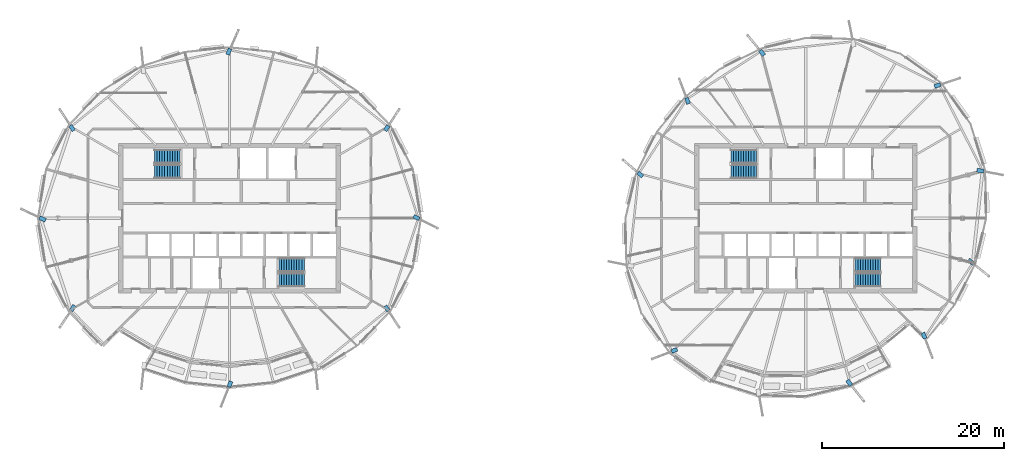
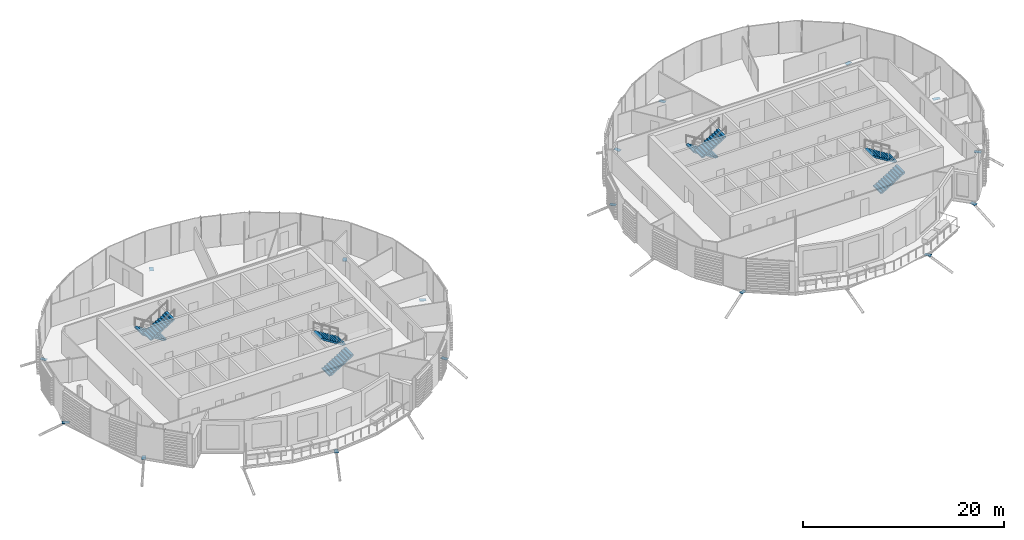
# One storey, part 26 of 41: 17 discrete accessories, 8 stair flights, 4 elements without a shape of their own.
"""IFC4 building model written with IfcOpenShell, lengths in metres."""

import ifcopenshell
import ifcopenshell.guid

model = None  # the IFC model being written
_history = None  # IfcOwnerHistory: only IFC2X3 demands one
_inside = {}  # id of a spatial element -> (the spatial element, [elements in it])
_under = {}  # id of a project, library or spatial element -> (it, [spatial elements below it])
_declared = {}  # id of a project -> (the project, [libraries it declares])
_typed = {}  # id of a type object -> (the type object, [elements of that type])
_made_of = {}  # id of a material, layer set ... -> (it, [elements and type objects made of it])


def new_model(schema):
    """Start an empty IFC model of exactly this schema.

    Asked for "IFC4X3", IfcOpenShell would pick the latest addendum, in which some entities
    have other attributes; the version numbers below select the first issue.
    IFC2X3 requires an IfcOwnerHistory on every rooted entity: one is made here for all.
    """
    global model, _history
    if schema == "IFC4X3":
        model = ifcopenshell.file(schema_version=(4, 3, 0, 0))
    else:
        model = ifcopenshell.file(schema=schema)
    _inside.clear()
    _under.clear()
    _declared.clear()
    _typed.clear()
    _made_of.clear()
    _history = None
    if model.schema == "IFC2X3":
        org = make("IfcOrganization", Name="unknown")
        user = make(
            "IfcPersonAndOrganization",
            ThePerson=make("IfcPerson", FamilyName="unknown"),
            TheOrganization=org,
        )
        app = make(
            "IfcApplication",
            ApplicationDeveloper=org,
            Version="unknown",
            ApplicationFullName="unknown",
            ApplicationIdentifier="unknown",
        )
        _history = make(
            "IfcOwnerHistory",
            OwningUser=user,
            OwningApplication=app,
            ChangeAction="ADDED",
            CreationDate=0,
        )
    return model


def make(cls, **values):
    """One entity of the class cls with the attributes given. An attribute that is None is left unset."""
    return model.create_entity(
        cls, **{name: value for name, value in values.items() if value is not None}
    )


def rooted(cls, **values):
    """An entity with a GlobalId (a new one), such as an element, a storey or a relation."""
    return make(cls, GlobalId=ifcopenshell.guid.new(), OwnerHistory=_history, **values)


def si_unit(unit_type, name, prefix=None):
    """IfcSIUnit, for example si_unit("LENGTHUNIT", "METRE", prefix="MILLI")."""
    return make("IfcSIUnit", UnitType=unit_type, Prefix=prefix, Name=name)


def assignment(units):
    """IfcUnitAssignment: the units of a project."""
    return None if units is None else make("IfcUnitAssignment", Units=units)


def point(xyz):
    """IfcCartesianPoint."""
    return None if xyz is None else make("IfcCartesianPoint", Coordinates=xyz)


def direction(xyz):
    """IfcDirection."""
    return None if xyz is None else make("IfcDirection", DirectionRatios=xyz)


def frame(location, z_axis=None, x_axis=None):
    """IfcAxis2Placement3D, a coordinate frame: its origin and axes. An axis left out is left unset."""
    return make(
        "IfcAxis2Placement3D",
        Location=point(location),
        Axis=direction(z_axis),
        RefDirection=direction(x_axis),
    )


def frame_2d(location, x_axis=None):
    """IfcAxis2Placement2D, a coordinate frame in the plane: its origin and x axis."""
    return make(
        "IfcAxis2Placement2D", Location=point(location), RefDirection=direction(x_axis)
    )


def origin():
    """The frame at (0, 0, 0) with its axes left unset."""
    return frame((0.0, 0.0, 0.0))


def origin_2d():
    """The frame at (0, 0) in the plane with its x axis left unset."""
    return frame_2d((0.0, 0.0))


def place(relative_to, where):
    """IfcLocalPlacement: puts the frame where relative to a parent placement (None: the world)."""
    return make(
        "IfcLocalPlacement", PlacementRelTo=relative_to, RelativePlacement=where
    )


def context(
    kind, dimensions, precision=None, world=None, true_north=None, identifier=None
):
    """IfcGeometricRepresentationContext, for example the 3D "Model" context."""
    return make(
        "IfcGeometricRepresentationContext",
        ContextIdentifier=identifier,
        ContextType=kind,
        CoordinateSpaceDimension=dimensions,
        Precision=precision,
        WorldCoordinateSystem=world,
        TrueNorth=true_north,
    )


def subcontext(parent, identifier, kind, view, scale=None):
    """IfcGeometricRepresentationSubContext, for example "Body" below "Model"."""
    return make(
        "IfcGeometricRepresentationSubContext",
        ContextIdentifier=identifier,
        ContextType=kind,
        ParentContext=parent,
        TargetScale=scale,
        TargetView=view,
    )


def project(units=None, contexts=None):
    """IfcProject with its units and contexts."""
    return rooted(
        "IfcProject",
        Name="project",
        RepresentationContexts=contexts,
        UnitsInContext=assignment(units),
    )


def spatial(cls, under=None, at=None, **own):
    """A site, building, storey or space (cls), placed at a placement, below another one or the project."""
    s = rooted(cls, ObjectPlacement=at, **own)
    if under is not None:
        _under.setdefault(under.id(), (under, []))[1].append(s)
    return s


def polyline(points):
    """IfcPolyline through the points."""
    return make("IfcPolyline", Points=[point(p) for p in points])


def profile(cls, at=None, kind="AREA", **sizes):
    """A parametric profile (cls). Its sizes go by their IFC names, for example OverallWidth=200.0."""
    return make(cls, ProfileType=kind, Position=at, **sizes)


def rectangle(**sizes):
    """IfcRectangleProfileDef."""
    return profile("IfcRectangleProfileDef", **sizes)


def outline(outer, holes=None, kind="AREA"):
    """IfcArbitraryClosedProfileDef: a profile drawn as a closed curve; with holes, ...WithVoids."""
    if holes is None:
        return make("IfcArbitraryClosedProfileDef", ProfileType=kind, OuterCurve=outer)
    return make(
        "IfcArbitraryProfileDefWithVoids",
        ProfileType=kind,
        OuterCurve=outer,
        InnerCurves=holes,
    )


def extrude(swept, where, along, depth):
    """IfcExtrudedAreaSolid: the profile swept, set in the frame where, extruded along a direction by depth."""
    return make(
        "IfcExtrudedAreaSolid",
        SweptArea=swept,
        Position=where,
        ExtrudedDirection=direction(along),
        Depth=depth,
    )


def shape(context_of_items, identifier, shape_type, items):
    """IfcShapeRepresentation: the items that make up one representation, for example the "Body"."""
    return make(
        "IfcShapeRepresentation",
        ContextOfItems=context_of_items,
        RepresentationIdentifier=identifier,
        RepresentationType=shape_type,
        Items=items,
    )


def material(Name=None, Category=None):
    """IfcMaterial."""
    return make("IfcMaterial", Name=Name, Category=Category)


def material_profile(
    of_material, cross_section, Name=None, Category=None, Priority=None
):
    """IfcMaterialProfile: a cross section and its material."""
    return make(
        "IfcMaterialProfile",
        Name=Name,
        Material=of_material,
        Profile=cross_section,
        Priority=Priority,
        Category=Category,
    )


def profile_set(profiles, Name=None, composite=None):
    """IfcMaterialProfileSet."""
    return make(
        "IfcMaterialProfileSet",
        Name=Name,
        MaterialProfiles=profiles,
        CompositeProfile=composite,
    )


def made_of(thing, what):
    """Note that an element or type object is made of a material, layer set ...; save() writes the relation."""
    if what is not None:
        _made_of.setdefault(what.id(), (what, []))[1].append(thing)
    return thing


def type_object(cls, material=None, **own):
    """A type object (cls), such as IfcWallType, which elements share."""
    return made_of(rooted(cls, **own), material)


def element(
    cls,
    number,
    at=None,
    inside=None,
    cuts=None,
    type_object=None,
    material=None,
    context=None,
    identifier="Body",
    shape_type=None,
    held_by="IfcProductDefinitionShape",
    body=None,
    shapes=None,
    **own,
):
    """One element of the class cls, such as IfcWall. Its Tag is "e" and its number.

    at: its placement. inside: the storey or other place that contains it. cuts: it is an
    opening in that element (IfcRelVoidsElement). A single representation is given by context,
    identifier, shape_type and body (its items); several are given by shapes. held_by: the class
    of the entity that holds the representations. save() writes the other relations.
    """
    e = rooted(cls, Tag="e%d" % number, ObjectPlacement=at, **own)
    if body is not None:
        shapes = [shape(context, identifier, shape_type, body)]
    if shapes is not None:
        e.Representation = make(held_by, Representations=shapes)
    if inside is not None:
        _inside.setdefault(inside.id(), (inside, []))[1].append(e)
    if cuts is not None:
        rooted(
            "IfcRelVoidsElement", RelatingBuildingElement=cuts, RelatedOpeningElement=e
        )
    if type_object is not None:
        _typed.setdefault(type_object.id(), (type_object, []))[1].append(e)
    return made_of(e, material)


def aggregate(whole, parts):
    """IfcRelAggregates: a whole, such as a stair, and the parts it consists of."""
    return rooted("IfcRelAggregates", RelatingObject=whole, RelatedObjects=parts)


def save(model, path):
    """Write the relations noted so far, then the file.

    IfcRelAggregates (storeys below a building ...), IfcRelContainedInSpatialStructure (elements
    in a storey), IfcRelDefinesByType, IfcRelAssociatesMaterial and IfcRelDeclares: one each for
    every whole, place, type object, material and project.
    """
    for whole, parts in _under.values():
        aggregate(whole, parts)
    for where, things in _inside.values():
        rooted(
            "IfcRelContainedInSpatialStructure",
            RelatedElements=things,
            RelatingStructure=where,
        )
    for kind, things in _typed.values():
        rooted("IfcRelDefinesByType", RelatedObjects=things, RelatingType=kind)
    for what, things in _made_of.values():
        rooted("IfcRelAssociatesMaterial", RelatedObjects=things, RelatingMaterial=what)
    for by, libraries in _declared.values():
        rooted("IfcRelDeclares", RelatingContext=by, RelatedDefinitions=libraries)
    model.write(path)


model = new_model("IFC4")

# Units and contexts
model_context = context("Model", 3, precision=1e-05, world=origin(), true_north=direction((0.0, 1.0)))
body_context = subcontext(model_context, "Body", "Model", "MODEL_VIEW")
ifc_project = project(units=[si_unit("LENGTHUNIT", "METRE"), si_unit("AREAUNIT", "SQUARE_METRE"), si_unit("VOLUMEUNIT", "CUBIC_METRE"), si_unit("PLANEANGLEUNIT", "RADIAN"), si_unit("MASSUNIT", "GRAM", prefix="KILO")], contexts=[model_context])

# Site, building, storey
site_placement = place(None, origin())
site = spatial("IfcSite", under=ifc_project, at=site_placement, CompositionType="ELEMENT")
building_placement = place(site_placement, origin())
building = spatial("IfcBuilding", under=site, at=building_placement, Name="Rimbun Link Towers", CompositionType="ELEMENT")
storey_placement = place(building_placement, frame((0.0, 0.0, 210.5)))
storey = spatial("IfcBuildingStorey", under=building, at=storey_placement, Name="L51", CompositionType="ELEMENT", Elevation=210.5)

# Stair, stair flights
ifc_material_1 = material(Name="Concrete C40/50", Category="concrete")
stair_type = type_object("IfcStairType", Name="Exit stair 3800 rise", PredefinedType="HALF_TURN_STAIR", material=ifc_material_1)
stair_1_placement = place(storey_placement, origin())
stair_1 = element("IfcStair", 1, at=stair_1_placement, inside=storey, type_object=stair_type, Name="L51 EXIT STAIR A", PredefinedType="HALF_TURN_STAIR")
ifc_material_2 = material(Name="Concrete C40/50", Category="concrete")
stair_flight_type = type_object("IfcStairFlightType", Name="Exit stair flight 3800 rise", PredefinedType="STRAIGHT", material=ifc_material_2)
stair_flight_1_placement = place(storey_placement, frame((-37.199951171875, 6.800048828125, 0.0), z_axis=(0.0, 0.0, 1.0), x_axis=(-1.0, 0.0, 0.0)))
stair_flight_1 = element("IfcStairFlight", 2, at=stair_flight_1_placement, type_object=stair_flight_type, Name="ST1 flight 1", NumberOfRisers=11, NumberOfTreads=10, PredefinedType="STRAIGHT", RiserHeight=0.172727273, TreadLength=0.28, context=body_context, shape_type="SweptSolid", body=[
    extrude(outline(polyline([(0.0, 0.0), (0.0, 0.172607421875), (0.280029296875, 0.172607421875), (0.280029296875, 0.345458984375), (0.56005859375, 0.345458984375), (0.56005859375, 0.51806640625), (0.840087890625, 0.51806640625), (0.840087890625, 0.69091796875), (1.1201171875, 0.69091796875), (1.1201171875, 0.863525390625), (1.39990234375, 0.863525390625), (1.39990234375, 1.036376953125), (1.679931640625, 1.036376953125), (1.679931640625, 1.208984375), (1.9599609375, 1.208984375), (1.9599609375, 1.3818359375), (2.239990234375, 1.3818359375), (2.239990234375, 1.554443359375), (2.52001953125, 1.554443359375), (2.52001953125, 1.727294921875), (2.800048828125, 1.727294921875), (2.800048828125, 1.89990234375), (2.800048828125, 1.551025390625), (0.280029296875, 0.0), (0.0, 0.0)])), frame((0.0, 0.75, 0.0), z_axis=(0.0, -1.0, 0.0), x_axis=(1.0, 0.0, 0.0)), (0.0, 0.0, 1.0), 1.5),
])
stair_flight_2_placement = place(storey_placement, frame((-40.0, 5.14990234375, 1.89990234375), z_axis=(0.0, 0.0, 1.0), x_axis=(1.0, 0.0, 0.0)))
stair_flight_2 = element("IfcStairFlight", 3, at=stair_flight_2_placement, type_object=stair_flight_type, Name="ST1 flight 2", NumberOfRisers=11, NumberOfTreads=10, PredefinedType="STRAIGHT", RiserHeight=0.172727273, TreadLength=0.28, context=body_context, shape_type="SweptSolid", body=[
    extrude(outline(polyline([(0.0, 0.0), (0.0, 0.172607421875), (0.280029296875, 0.172607421875), (0.280029296875, 0.345458984375), (0.56005859375, 0.345458984375), (0.56005859375, 0.51806640625), (0.840087890625, 0.51806640625), (0.840087890625, 0.69091796875), (1.1201171875, 0.69091796875), (1.1201171875, 0.863525390625), (1.39990234375, 0.863525390625), (1.39990234375, 1.036376953125), (1.679931640625, 1.036376953125), (1.679931640625, 1.208984375), (1.9599609375, 1.208984375), (1.9599609375, 1.3818359375), (2.239990234375, 1.3818359375), (2.239990234375, 1.554443359375), (2.52001953125, 1.554443359375), (2.52001953125, 1.727294921875), (2.800048828125, 1.727294921875), (2.800048828125, 1.89990234375), (2.800048828125, 1.551025390625), (0.280029296875, 0.0), (0.0, 0.0)])), frame((0.0, 0.75, 0.0), z_axis=(0.0, -1.0, 0.0), x_axis=(1.0, 0.0, 0.0)), (0.0, 0.0, 1.0), 1.5),
])
aggregate(stair_1, [stair_flight_1, stair_flight_2])

stair_2_placement = place(storey_placement, origin())
stair_2 = element("IfcStair", 4, at=stair_2_placement, inside=storey, type_object=stair_type, Name="L51 EXIT STAIR B", PredefinedType="HALF_TURN_STAIR")
stair_flight_3_placement = place(storey_placement, frame((-26.300048828125, -6.800048828125, 0.0), z_axis=(0.0, 0.0, 1.0), x_axis=(1.0, 0.0, 0.0)))
stair_flight_3 = element("IfcStairFlight", 5, at=stair_flight_3_placement, type_object=stair_flight_type, Name="ST2 flight 1", NumberOfRisers=11, NumberOfTreads=10, PredefinedType="STRAIGHT", RiserHeight=0.172727273, TreadLength=0.28, context=body_context, shape_type="SweptSolid", body=[
    extrude(outline(polyline([(0.0, 0.0), (0.0, 0.172607421875), (0.280029296875, 0.172607421875), (0.280029296875, 0.345458984375), (0.56005859375, 0.345458984375), (0.56005859375, 0.51806640625), (0.840087890625, 0.51806640625), (0.840087890625, 0.69091796875), (1.1201171875, 0.69091796875), (1.1201171875, 0.863525390625), (1.39990234375, 0.863525390625), (1.39990234375, 1.036376953125), (1.679931640625, 1.036376953125), (1.679931640625, 1.208984375), (1.9599609375, 1.208984375), (1.9599609375, 1.3818359375), (2.239990234375, 1.3818359375), (2.239990234375, 1.554443359375), (2.52001953125, 1.554443359375), (2.52001953125, 1.727294921875), (2.800048828125, 1.727294921875), (2.800048828125, 1.89990234375), (2.800048828125, 1.551025390625), (0.280029296875, 0.0), (0.0, 0.0)])), frame((0.0, 0.75, 0.0), z_axis=(0.0, -1.0, 0.0), x_axis=(1.0, 0.0, 0.0)), (0.0, 0.0, 1.0), 1.5),
])
stair_flight_4_placement = place(storey_placement, frame((-23.5, -5.14990234375, 1.89990234375), z_axis=(0.0, 0.0, 1.0), x_axis=(-1.0, 0.0, 0.0)))
stair_flight_4 = element("IfcStairFlight", 6, at=stair_flight_4_placement, type_object=stair_flight_type, Name="ST2 flight 2", NumberOfRisers=11, NumberOfTreads=10, PredefinedType="STRAIGHT", RiserHeight=0.172727273, TreadLength=0.28, context=body_context, shape_type="SweptSolid", body=[
    extrude(outline(polyline([(0.0, 0.0), (0.0, 0.172607421875), (0.280029296875, 0.172607421875), (0.280029296875, 0.345458984375), (0.56005859375, 0.345458984375), (0.56005859375, 0.51806640625), (0.840087890625, 0.51806640625), (0.840087890625, 0.69091796875), (1.1201171875, 0.69091796875), (1.1201171875, 0.863525390625), (1.39990234375, 0.863525390625), (1.39990234375, 1.036376953125), (1.679931640625, 1.036376953125), (1.679931640625, 1.208984375), (1.9599609375, 1.208984375), (1.9599609375, 1.3818359375), (2.239990234375, 1.3818359375), (2.239990234375, 1.554443359375), (2.52001953125, 1.554443359375), (2.52001953125, 1.727294921875), (2.800048828125, 1.727294921875), (2.800048828125, 1.89990234375), (2.800048828125, 1.551025390625), (0.280029296875, 0.0), (0.0, 0.0)])), frame((0.0, 0.75, 0.0), z_axis=(0.0, -1.0, 0.0), x_axis=(1.0, 0.0, 0.0)), (0.0, 0.0, 1.0), 1.5),
])
aggregate(stair_2, [stair_flight_3, stair_flight_4])

stair_3_placement = place(storey_placement, origin())
stair_3 = element("IfcStair", 7, at=stair_3_placement, inside=storey, type_object=stair_type, Name="L51 EXIT STAIR A", PredefinedType="HALF_TURN_STAIR")
stair_flight_5_placement = place(storey_placement, frame((26.300048828125, 6.800048828125, 0.0), z_axis=(0.0, 0.0, 1.0), x_axis=(-1.0, 0.0, 0.0)))
stair_flight_5 = element("IfcStairFlight", 8, at=stair_flight_5_placement, type_object=stair_flight_type, Name="ST3 flight 1", NumberOfRisers=11, NumberOfTreads=10, PredefinedType="STRAIGHT", RiserHeight=0.172727273, TreadLength=0.28, context=body_context, shape_type="SweptSolid", body=[
    extrude(outline(polyline([(0.0, 0.0), (0.0, 0.172607421875), (0.280029296875, 0.172607421875), (0.280029296875, 0.345458984375), (0.56005859375, 0.345458984375), (0.56005859375, 0.51806640625), (0.840087890625, 0.51806640625), (0.840087890625, 0.69091796875), (1.1201171875, 0.69091796875), (1.1201171875, 0.863525390625), (1.39990234375, 0.863525390625), (1.39990234375, 1.036376953125), (1.679931640625, 1.036376953125), (1.679931640625, 1.208984375), (1.9599609375, 1.208984375), (1.9599609375, 1.3818359375), (2.239990234375, 1.3818359375), (2.239990234375, 1.554443359375), (2.52001953125, 1.554443359375), (2.52001953125, 1.727294921875), (2.800048828125, 1.727294921875), (2.800048828125, 1.89990234375), (2.800048828125, 1.551025390625), (0.280029296875, 0.0), (0.0, 0.0)])), frame((0.0, 0.75, 0.0), z_axis=(0.0, -1.0, 0.0), x_axis=(1.0, 0.0, 0.0)), (0.0, 0.0, 1.0), 1.5),
])
stair_flight_6_placement = place(storey_placement, frame((23.5, 5.14990234375, 1.89990234375), z_axis=(0.0, 0.0, 1.0), x_axis=(1.0, 0.0, 0.0)))
stair_flight_6 = element("IfcStairFlight", 9, at=stair_flight_6_placement, type_object=stair_flight_type, Name="ST3 flight 2", NumberOfRisers=11, NumberOfTreads=10, PredefinedType="STRAIGHT", RiserHeight=0.172727273, TreadLength=0.28, context=body_context, shape_type="SweptSolid", body=[
    extrude(outline(polyline([(0.0, 0.0), (0.0, 0.172607421875), (0.280029296875, 0.172607421875), (0.280029296875, 0.345458984375), (0.56005859375, 0.345458984375), (0.56005859375, 0.51806640625), (0.840087890625, 0.51806640625), (0.840087890625, 0.69091796875), (1.1201171875, 0.69091796875), (1.1201171875, 0.863525390625), (1.39990234375, 0.863525390625), (1.39990234375, 1.036376953125), (1.679931640625, 1.036376953125), (1.679931640625, 1.208984375), (1.9599609375, 1.208984375), (1.9599609375, 1.3818359375), (2.239990234375, 1.3818359375), (2.239990234375, 1.554443359375), (2.52001953125, 1.554443359375), (2.52001953125, 1.727294921875), (2.800048828125, 1.727294921875), (2.800048828125, 1.89990234375), (2.800048828125, 1.551025390625), (0.280029296875, 0.0), (0.0, 0.0)])), frame((0.0, 0.75, 0.0), z_axis=(0.0, -1.0, 0.0), x_axis=(1.0, 0.0, 0.0)), (0.0, 0.0, 1.0), 1.5),
])
aggregate(stair_3, [stair_flight_5, stair_flight_6])

stair_4_placement = place(storey_placement, origin())
stair_4 = element("IfcStair", 10, at=stair_4_placement, inside=storey, type_object=stair_type, Name="L51 EXIT STAIR B", PredefinedType="HALF_TURN_STAIR")
stair_flight_7_placement = place(storey_placement, frame((37.199951171875, -6.800048828125, 0.0), z_axis=(0.0, 0.0, 1.0), x_axis=(1.0, 0.0, 0.0)))
stair_flight_7 = element("IfcStairFlight", 11, at=stair_flight_7_placement, type_object=stair_flight_type, Name="ST4 flight 1", NumberOfRisers=11, NumberOfTreads=10, PredefinedType="STRAIGHT", RiserHeight=0.172727273, TreadLength=0.28, context=body_context, shape_type="SweptSolid", body=[
    extrude(outline(polyline([(0.0, 0.0), (0.0, 0.172607421875), (0.280029296875, 0.172607421875), (0.280029296875, 0.345458984375), (0.56005859375, 0.345458984375), (0.56005859375, 0.51806640625), (0.840087890625, 0.51806640625), (0.840087890625, 0.69091796875), (1.1201171875, 0.69091796875), (1.1201171875, 0.863525390625), (1.39990234375, 0.863525390625), (1.39990234375, 1.036376953125), (1.679931640625, 1.036376953125), (1.679931640625, 1.208984375), (1.9599609375, 1.208984375), (1.9599609375, 1.3818359375), (2.239990234375, 1.3818359375), (2.239990234375, 1.554443359375), (2.52001953125, 1.554443359375), (2.52001953125, 1.727294921875), (2.800048828125, 1.727294921875), (2.800048828125, 1.89990234375), (2.800048828125, 1.551025390625), (0.280029296875, 0.0), (0.0, 0.0)])), frame((0.0, 0.75, 0.0), z_axis=(0.0, -1.0, 0.0), x_axis=(1.0, 0.0, 0.0)), (0.0, 0.0, 1.0), 1.5),
])
stair_flight_8_placement = place(storey_placement, frame((40.0, -5.14990234375, 1.89990234375), z_axis=(0.0, 0.0, 1.0), x_axis=(-1.0, 0.0, 0.0)))
stair_flight_8 = element("IfcStairFlight", 12, at=stair_flight_8_placement, type_object=stair_flight_type, Name="ST4 flight 2", NumberOfRisers=11, NumberOfTreads=10, PredefinedType="STRAIGHT", RiserHeight=0.172727273, TreadLength=0.28, context=body_context, shape_type="SweptSolid", body=[
    extrude(outline(polyline([(0.0, 0.0), (0.0, 0.172607421875), (0.280029296875, 0.172607421875), (0.280029296875, 0.345458984375), (0.56005859375, 0.345458984375), (0.56005859375, 0.51806640625), (0.840087890625, 0.51806640625), (0.840087890625, 0.69091796875), (1.1201171875, 0.69091796875), (1.1201171875, 0.863525390625), (1.39990234375, 0.863525390625), (1.39990234375, 1.036376953125), (1.679931640625, 1.036376953125), (1.679931640625, 1.208984375), (1.9599609375, 1.208984375), (1.9599609375, 1.3818359375), (2.239990234375, 1.3818359375), (2.239990234375, 1.554443359375), (2.52001953125, 1.554443359375), (2.52001953125, 1.727294921875), (2.800048828125, 1.727294921875), (2.800048828125, 1.89990234375), (2.800048828125, 1.551025390625), (0.280029296875, 0.0), (0.0, 0.0)])), frame((0.0, 0.75, 0.0), z_axis=(0.0, -1.0, 0.0), x_axis=(1.0, 0.0, 0.0)), (0.0, 0.0, 1.0), 1.5),
])
aggregate(stair_4, [stair_flight_7, stair_flight_8])

# Discrete accessories
ifc_material_3 = material(Name="Steel S355J2H", Category="steel")
ifc_material_profile = material_profile(ifc_material_3, rectangle(XDim=0.43310546875, YDim=0.43310546875, at=origin_2d()), Name="PL 433x433")
ifc_profile_set = profile_set([ifc_material_profile], Name="Steel S355J2H")
discrete_accessory_type = type_object("IfcDiscreteAccessoryType", Name="Link head end plate 433X20", PredefinedType="BRACKET", material=ifc_profile_set)
discrete_accessory_1_placement = place(storey_placement, frame((0.0, 0.0, -0.61328125)))
element("IfcDiscreteAccessory", 13, at=discrete_accessory_1_placement, inside=storey, type_object=discrete_accessory_type, Name="Link head end plate T1 L51 00", PredefinedType="BRACKET", context=body_context, shape_type="SweptSolid", body=[
    extrude(outline(polyline([(-11.54150390625, 0.033203125), (-10.92578125, -0.27587890625), (-10.731689453125, 0.11083984375), (-11.34716796875, 0.419921875), (-11.54150390625, 0.033203125)])), origin(), (0.0, 0.0, 1.0), 0.019775390625),
])
discrete_accessory_2_placement = place(storey_placement, frame((0.0, 0.0, -0.514892578125)))
element("IfcDiscreteAccessory", 14, at=discrete_accessory_2_placement, inside=storey, type_object=discrete_accessory_type, Name="Link head end plate T1 L51 02", PredefinedType="BRACKET", context=body_context, shape_type="SweptSolid", body=[
    extrude(outline(polyline([(-14.413818359375, 9.536865234375), (-14.048583984375, 10.092529296875), (-14.410400390625, 10.33056640625), (-14.77587890625, 9.77490234375), (-14.413818359375, 9.536865234375)])), origin(), (0.0, 0.0, 1.0), 0.019775390625),
])
discrete_accessory_3_placement = place(storey_placement, frame((0.0, 0.0, -0.693115234375)))
element("IfcDiscreteAccessory", 15, at=discrete_accessory_3_placement, inside=storey, type_object=discrete_accessory_type, Name="Link head end plate T1 L51 06", PredefinedType="BRACKET", context=body_context, shape_type="SweptSolid", body=[
    extrude(outline(polyline([(-31.76123046875, 17.9423828125), (-31.477783203125, 18.58251953125), (-31.87353515625, 18.7578125), (-32.1572265625, 18.11767578125), (-31.76123046875, 17.9423828125)])), origin(), (0.0, 0.0, 1.0), 0.02001953125),
])
discrete_accessory_4_placement = place(storey_placement, frame((0.0, 0.0, -0.514892578125)))
element("IfcDiscreteAccessory", 16, at=discrete_accessory_4_placement, inside=storey, type_object=discrete_accessory_type, Name="Link head end plate T1 L51 10", PredefinedType="BRACKET", context=body_context, shape_type="SweptSolid", body=[
    extrude(outline(polyline([(-48.72412109375, 9.77490234375), (-49.089599609375, 10.33056640625), (-49.451416015625, 10.092529296875), (-49.086181640625, 9.536865234375), (-48.72412109375, 9.77490234375)])), origin(), (0.0, 0.0, 1.0), 0.019775390625),
])
discrete_accessory_5_placement = place(storey_placement, frame((0.0, 0.0, -1.000732421875)))
element("IfcDiscreteAccessory", 17, at=discrete_accessory_5_placement, inside=storey, type_object=discrete_accessory_type, Name="Link head end plate T1 L51 12", PredefinedType="BRACKET", context=body_context, shape_type="SweptSolid", body=[
    extrude(outline(polyline([(-51.91015625, -0.042236328125), (-52.5791015625, 0.273681640625), (-52.763916015625, -0.117919921875), (-52.09521484375, -0.433837890625), (-51.91015625, -0.042236328125)])), origin(), (0.0, 0.0, 1.0), 0.02001953125),
])
discrete_accessory_6_placement = place(storey_placement, frame((0.0, 0.0, -0.514892578125)))
element("IfcDiscreteAccessory", 18, at=discrete_accessory_6_placement, inside=storey, type_object=discrete_accessory_type, Name="Link head end plate T1 L51 14", PredefinedType="BRACKET", context=body_context, shape_type="SweptSolid", body=[
    extrude(outline(polyline([(-48.9912109375, -9.481689453125), (-49.371337890625, -10.04150390625), (-49.01318359375, -10.28466796875), (-48.633056640625, -9.72509765625), (-48.9912109375, -9.481689453125)])), origin(), (0.0, 0.0, 1.0), 0.019775390625),
])
discrete_accessory_7_placement = place(storey_placement, frame((0.0, 0.0, -0.693115234375)))
element("IfcDiscreteAccessory", 19, at=discrete_accessory_7_placement, inside=storey, type_object=discrete_accessory_type, Name="Link head end plate T1 L51 18", PredefinedType="BRACKET", context=body_context, shape_type="SweptSolid", body=[
    extrude(outline(polyline([(-31.77197265625, -17.88671875), (-32.02001953125, -18.50341796875), (-31.6181640625, -18.664794921875), (-31.3701171875, -18.048095703125), (-31.77197265625, -17.88671875)])), origin(), (0.0, 0.0, 1.0), 0.02001953125),
])
discrete_accessory_8_placement = place(storey_placement, frame((0.0, 0.0, -0.514892578125)))
element("IfcDiscreteAccessory", 20, at=discrete_accessory_8_placement, inside=storey, type_object=discrete_accessory_type, Name="Link head end plate T1 L51 22", PredefinedType="BRACKET", context=body_context, shape_type="SweptSolid", body=[
    extrude(outline(polyline([(-14.77587890625, -9.77490234375), (-14.410400390625, -10.33056640625), (-14.048583984375, -10.092529296875), (-14.413818359375, -9.536865234375), (-14.77587890625, -9.77490234375)])), origin(), (0.0, 0.0, 1.0), 0.019775390625),
])
discrete_accessory_9_placement = place(storey_placement, frame((0.0, 0.0, -0.693115234375)))
element("IfcDiscreteAccessory", 21, at=discrete_accessory_9_placement, inside=storey, type_object=discrete_accessory_type, Name="Link head end plate T2 L51 00", PredefinedType="BRACKET", context=body_context, shape_type="SweptSolid", body=[
    extrude(outline(polyline([(46.0087890625, 14.307861328125), (46.67041015625, 14.53076171875), (46.531982421875, 14.941162109375), (45.87060546875, 14.71826171875), (46.0087890625, 14.307861328125)])), origin(), (0.0, 0.0, 1.0), 0.02001953125),
])
discrete_accessory_10_placement = place(storey_placement, frame((0.0, 0.0, -0.7626953125)))
element("IfcDiscreteAccessory", 22, at=discrete_accessory_10_placement, inside=storey, type_object=discrete_accessory_type, Name="Link head end plate T2 L51 04", PredefinedType="BRACKET", context=body_context, shape_type="SweptSolid", body=[
    extrude(outline(polyline([(27.32666015625, 18.089111328125), (26.88427734375, 18.626220703125), (26.550048828125, 18.35107421875), (26.9921875, 17.81396484375), (27.32666015625, 18.089111328125)])), origin(), (0.0, 0.0, 1.0), 0.02001953125),
])
discrete_accessory_11_placement = place(storey_placement, frame((0.0, 0.0, -0.56640625)))
element("IfcDiscreteAccessory", 23, at=discrete_accessory_11_placement, inside=storey, type_object=discrete_accessory_type, Name="Link head end plate T2 L51 06", PredefinedType="BRACKET", context=body_context, shape_type="SweptSolid", body=[
    extrude(outline(polyline([(19.046630859375, 12.69091796875), (18.80419921875, 13.331787109375), (18.3994140625, 13.1787109375), (18.6416015625, 12.53759765625), (19.046630859375, 12.69091796875)])), origin(), (0.0, 0.0, 1.0), 0.02001953125),
])
discrete_accessory_12_placement = place(storey_placement, frame((0.0, 0.0, -0.514892578125)))
element("IfcDiscreteAccessory", 24, at=discrete_accessory_12_placement, inside=storey, type_object=discrete_accessory_type, Name="Link head end plate T2 L51 08", PredefinedType="BRACKET", context=body_context, shape_type="SweptSolid", body=[
    extrude(outline(polyline([(13.9111328125, 4.768798828125), (13.402099609375, 5.200927734375), (13.121826171875, 4.87060546875), (13.630859375, 4.438720703125), (13.9111328125, 4.768798828125)])), origin(), (0.0, 0.0, 1.0), 0.019775390625),
])
discrete_accessory_13_placement = place(storey_placement, frame((0.0, 0.0, -0.693115234375)))
element("IfcDiscreteAccessory", 25, at=discrete_accessory_13_placement, inside=storey, type_object=discrete_accessory_type, Name="Link head end plate T2 L51 12", PredefinedType="BRACKET", context=body_context, shape_type="SweptSolid", body=[
    extrude(outline(polyline([(17.506591796875, -14.240478515625), (16.886962890625, -14.476318359375), (17.041015625, -14.881103515625), (17.66064453125, -14.645263671875), (17.506591796875, -14.240478515625)])), origin(), (0.0, 0.0, 1.0), 0.02001953125),
])
discrete_accessory_14_placement = place(storey_placement, frame((0.0, 0.0, -0.7626953125)))
element("IfcDiscreteAccessory", 26, at=discrete_accessory_14_placement, inside=storey, type_object=discrete_accessory_type, Name="Link head end plate T2 L51 16", PredefinedType="BRACKET", context=body_context, shape_type="SweptSolid", body=[
    extrude(outline(polyline([(36.14501953125, -17.9833984375), (36.587646484375, -18.536376953125), (36.92578125, -18.265869140625), (36.48291015625, -17.712646484375), (36.14501953125, -17.9833984375)])), origin(), (0.0, 0.0, 1.0), 0.02001953125),
])
discrete_accessory_15_placement = place(storey_placement, frame((0.0, 0.0, -0.56640625)))
element("IfcDiscreteAccessory", 27, at=discrete_accessory_15_placement, inside=storey, type_object=discrete_accessory_type, Name="Link head end plate T2 L51 18", PredefinedType="BRACKET", context=body_context, shape_type="SweptSolid", body=[
    extrude(outline(polyline([(44.453369140625, -12.69091796875), (44.69580078125, -13.331787109375), (45.1005859375, -13.1787109375), (44.8583984375, -12.53759765625), (44.453369140625, -12.69091796875)])), origin(), (0.0, 0.0, 1.0), 0.02001953125),
])
discrete_accessory_16_placement = place(storey_placement, frame((0.0, 0.0, -1.000732421875)))
element("IfcDiscreteAccessory", 28, at=discrete_accessory_16_placement, inside=storey, type_object=discrete_accessory_type, Name="Link head end plate T2 L51 20", PredefinedType="BRACKET", context=body_context, shape_type="SweptSolid", body=[
    extrude(outline(polyline([(49.53564453125, -4.744384765625), (50.104248046875, -5.19921875), (50.374755859375, -4.861083984375), (49.805908203125, -4.40625), (49.53564453125, -4.744384765625)])), origin(), (0.0, 0.0, 1.0), 0.02001953125),
])
discrete_accessory_17_placement = place(storey_placement, frame((0.0, 0.0, -1.000732421875)))
element("IfcDiscreteAccessory", 29, at=discrete_accessory_17_placement, inside=storey, type_object=discrete_accessory_type, Name="Link head end plate T2 L51 22", PredefinedType="BRACKET", context=body_context, shape_type="SweptSolid", body=[
    extrude(outline(polyline([(50.5712890625, 5.099365234375), (51.31689453125, 4.95947265625), (51.396728515625, 5.385009765625), (50.651123046875, 5.52490234375), (50.5712890625, 5.099365234375)])), origin(), (0.0, 0.0, 1.0), 0.02001953125),
])

save(model, "model.ifc")
